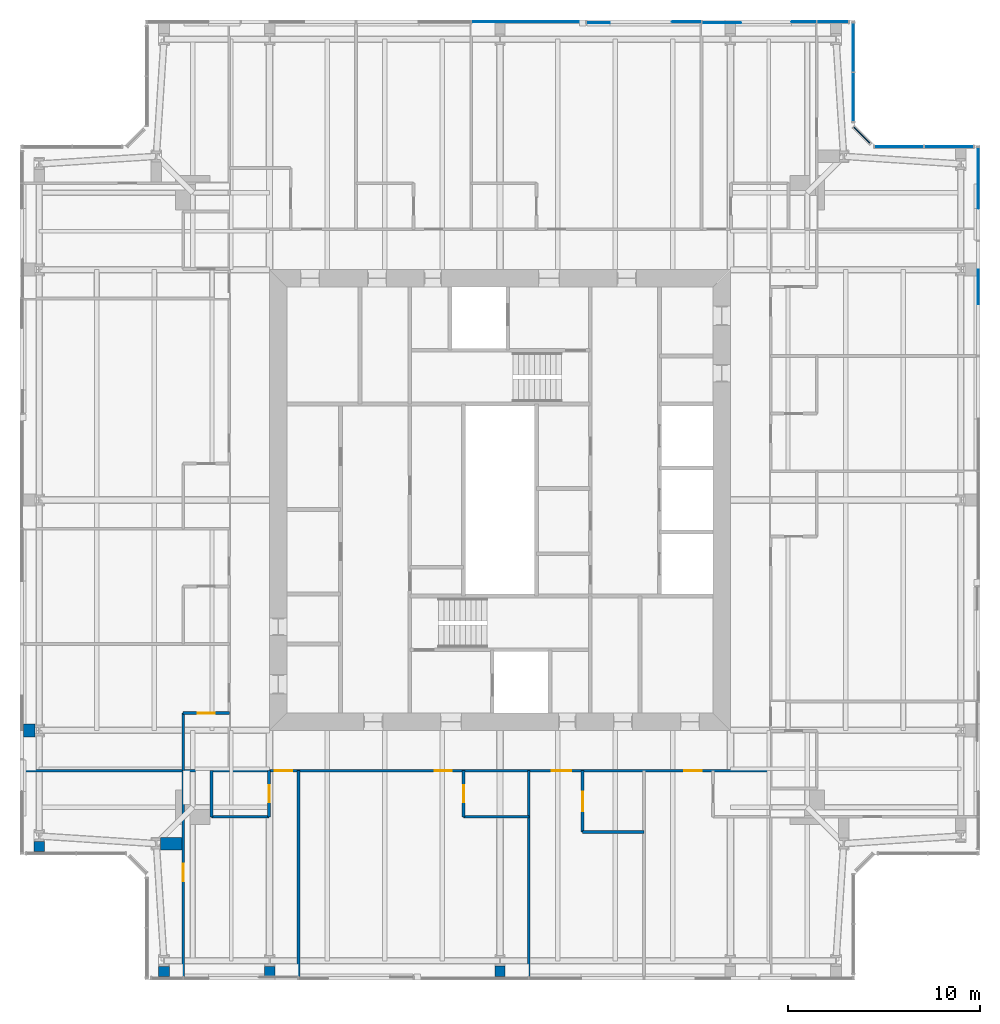
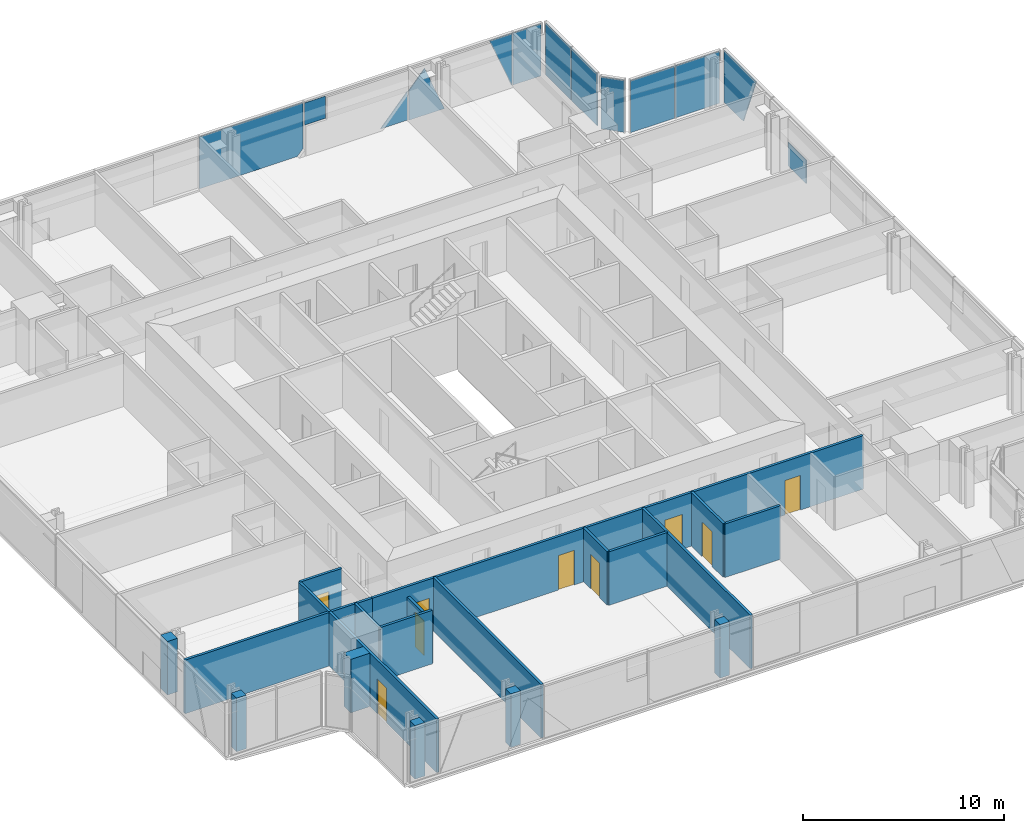
# One storey, part 11 of 18: 20 walls, 13 plates, 9 doors, 9 openings, 5 elements without a shape of their own.
"""IFC4 building model written with IfcOpenShell, lengths in metres."""

from ifc_helpers import new_model, si_unit, direction, frame, frame_2d, origin, origin_2d, place, context, subcontext, project, spatial, polyline, rectangle, outline, extrude, material, layer, layer_set, type_object, element, fill, aggregate, save


model = new_model("IFC4")

# Units and contexts
model_context = context("Model", 3, precision=1e-05, world=origin(), true_north=direction((0.0, 1.0)))
body_context = subcontext(model_context, "Body", "Model", "MODEL_VIEW")
ifc_project = project(units=[si_unit("LENGTHUNIT", "METRE"), si_unit("AREAUNIT", "SQUARE_METRE"), si_unit("VOLUMEUNIT", "CUBIC_METRE"), si_unit("PLANEANGLEUNIT", "RADIAN"), si_unit("MASSUNIT", "GRAM", prefix="KILO")], contexts=[model_context])

# Site, building, storey
site_placement = place(None, origin())
site = spatial("IfcSite", under=ifc_project, at=site_placement, CompositionType="ELEMENT")
building_placement = place(site_placement, origin())
building = spatial("IfcBuilding", under=site, at=building_placement, Name="Fenwick Lantern Interchange", CompositionType="ELEMENT")
storey_placement = place(building_placement, frame((0.0, 0.0, 262.800048828125)))
storey = spatial("IfcBuildingStorey", under=building, at=storey_placement, Name="L62", CompositionType="ELEMENT", Elevation=262.800048828125)

# Curtain wall, plates
ifc_material_1 = material(Name="Aluminium curtain wall frame", Category="aluminium")
curtain_wall_type = type_object("IfcCurtainWallType", Name="HOTEL CURTAIN WALL", PredefinedType="USERDEFINED", material=ifc_material_1)
curtain_wall_1_placement = place(storey_placement, origin())
curtain_wall_1 = element("IfcCurtainWall", 1, at=curtain_wall_1_placement, inside=storey, type_object=curtain_wall_type, Name="Hotel curtain wall 05", ObjectType="HOTEL CURTAIN WALL", PredefinedType="USERDEFINED")
ifc_material_2 = material(Name="Vision glass, acoustic laminated double glazed unit", Category="glass")
ifc_layer_1 = layer(ifc_material_2, 0.052001953125)
ifc_layer_set_1 = layer_set([ifc_layer_1], Name="HOTEL CURTAIN WALL PANEL 52")
plate_type = type_object("IfcPlateType", Name="HOTEL CURTAIN WALL PANEL 52", PredefinedType="CURTAIN_PANEL", material=ifc_layer_set_1)
plate_1_placement = place(storey_placement, frame((49.89990234375, 6.60009765625, 0.0), z_axis=(0.0, 0.0, 1.0), x_axis=(0.0, 1.0, 0.0)))
plate_1 = element("IfcPlate", 2, at=plate_1_placement, type_object=plate_type, Name="L62/CW/05/P05a", PredefinedType="CURTAIN_PANEL", context=body_context, shape_type="SweptSolid", body=[
    extrude(outline(polyline([(28.585205078125, 0.0), (30.39013671875, 0.0), (30.39013671875, 1.41650390625), (28.585205078125, 1.41650390625), (28.585205078125, 0.0)])), frame((0.0, 0.02587890625, 0.0), z_axis=(0.0, -1.0, 0.0), x_axis=(1.0, 0.0, 0.0)), (0.0, 0.0, 1.0), 0.052001953125),
])
plate_2_placement = place(storey_placement, frame((49.89990234375, 6.60009765625, 0.0), z_axis=(0.0, 0.0, 1.0), x_axis=(0.0, 1.0, 0.0)))
plate_2 = element("IfcPlate", 3, at=plate_2_placement, type_object=plate_type, Name="L62/CW/05/P06a", PredefinedType="CURTAIN_PANEL", context=body_context, shape_type="SweptSolid", body=[
    extrude(outline(polyline([(34.846435546875, 0.0), (36.739990234375, 0.0), (36.739990234375, 3.14990234375), (33.57275390625, 3.14990234375), (34.846435546875, 0.0)])), frame((0.0, 0.02587890625, 0.0), z_axis=(0.0, -1.0, 0.0), x_axis=(1.0, 0.0, 0.0)), (0.0, 0.0, 1.0), 0.052001953125),
])
aggregate(curtain_wall_1, [plate_1, plate_2])

curtain_wall_2_placement = place(storey_placement, origin())
curtain_wall_2 = element("IfcCurtainWall", 4, at=curtain_wall_2_placement, inside=storey, type_object=curtain_wall_type, Name="Hotel curtain wall 06", ObjectType="HOTEL CURTAIN WALL", PredefinedType="USERDEFINED")
plate_3_placement = place(storey_placement, frame((48.374755859375, 43.39990234375, 0.0), z_axis=(0.0, 0.0, 1.0), x_axis=(-1.0, 0.0, 0.0)))
plate_3 = element("IfcPlate", 5, at=plate_3_placement, type_object=plate_type, Name="L62/CW/06/P00", PredefinedType="CURTAIN_PANEL", context=body_context, shape_type="SweptSolid", body=[
    extrude(rectangle(XDim=2.53076171875, YDim=0.052001953125, at=origin_2d()), origin(), (0.0, 0.0, 1.0), 3.14990234375),
])
plate_4_placement = place(storey_placement, frame((45.783935546875, 43.39990234375, 0.0), z_axis=(0.0, 0.0, 1.0), x_axis=(-1.0, 0.0, 0.0)))
plate_4 = element("IfcPlate", 6, at=plate_4_placement, type_object=plate_type, Name="L62/CW/06/P01", PredefinedType="CURTAIN_PANEL", context=body_context, shape_type="SweptSolid", body=[
    extrude(rectangle(XDim=2.53076171875, YDim=0.052001953125, at=origin_2d()), origin(), (0.0, 0.0, 1.0), 3.14990234375),
])
aggregate(curtain_wall_2, [plate_3, plate_4])

# Curtain wall, plate
curtain_wall_3_placement = place(storey_placement, origin())
curtain_wall_3 = element("IfcCurtainWall", 7, at=curtain_wall_3_placement, inside=storey, type_object=curtain_wall_type, Name="Hotel curtain wall 07", ObjectType="HOTEL CURTAIN WALL", PredefinedType="USERDEFINED")
plate_5_placement = place(storey_placement, frame((43.858642578125, 44.0, 0.0), z_axis=(0.0, 0.0, 1.0), x_axis=(-0.707106781187, 0.707106781187, 0.0)))
plate_5 = element("IfcPlate", 8, at=plate_5_placement, type_object=plate_type, Name="L62/CW/07/P00", PredefinedType="CURTAIN_PANEL", context=body_context, shape_type="SweptSolid", body=[
    extrude(rectangle(XDim=1.177001953125, YDim=0.052001953125, at=origin_2d()), origin(), (0.0, 0.0, 1.0), 3.14990234375),
])
aggregate(curtain_wall_3, [plate_5])

# Curtain wall, plates
curtain_wall_4_placement = place(storey_placement, origin())
curtain_wall_4 = element("IfcCurtainWall", 9, at=curtain_wall_4_placement, inside=storey, type_object=curtain_wall_type, Name="Hotel curtain wall 08", ObjectType="HOTEL CURTAIN WALL", PredefinedType="USERDEFINED")
plate_6_placement = place(storey_placement, frame((43.39990234375, 45.98388671875, 0.0), z_axis=(0.0, 0.0, 1.0), x_axis=(0.0, 1.0, 0.0)))
plate_6 = element("IfcPlate", 10, at=plate_6_placement, type_object=plate_type, Name="L62/CW/08/P00", PredefinedType="CURTAIN_PANEL", context=body_context, shape_type="SweptSolid", body=[
    extrude(rectangle(XDim=2.53076171875, YDim=0.052001953125, at=origin_2d()), origin(), (0.0, 0.0, 1.0), 3.14990234375),
])
plate_7_placement = place(storey_placement, frame((43.39990234375, 48.57470703125, 0.0), z_axis=(0.0, 0.0, 1.0), x_axis=(0.0, 1.0, 0.0)))
plate_7 = element("IfcPlate", 11, at=plate_7_placement, type_object=plate_type, Name="L62/CW/08/P01", PredefinedType="CURTAIN_PANEL", context=body_context, shape_type="SweptSolid", body=[
    extrude(rectangle(XDim=2.53076171875, YDim=0.052001953125, at=origin_2d()), origin(), (0.0, 0.0, 1.0), 3.14990234375),
])
aggregate(curtain_wall_4, [plate_6, plate_7])

curtain_wall_5_placement = place(storey_placement, origin())
curtain_wall_5 = element("IfcCurtainWall", 12, at=curtain_wall_5_placement, inside=storey, type_object=curtain_wall_type, Name="Hotel curtain wall 09", ObjectType="HOTEL CURTAIN WALL", PredefinedType="USERDEFINED")
plate_8_placement = place(storey_placement, frame((42.3349609375, 49.89990234375, 0.0), z_axis=(0.0, 0.0, 1.0), x_axis=(-1.0, 0.0, 0.0)))
plate_8 = element("IfcPlate", 13, at=plate_8_placement, type_object=plate_type, Name="L62/CW/09/P00", PredefinedType="CURTAIN_PANEL", context=body_context, shape_type="SweptSolid", body=[
    extrude(rectangle(XDim=1.610107421875, YDim=0.052001953125, at=origin_2d()), origin(), (0.0, 0.0, 1.0), 3.14990234375),
])
plate_9_placement = place(storey_placement, frame((43.39990234375, 49.89990234375, 0.0), z_axis=(0.0, 0.0, 1.0), x_axis=(-1.0, 0.0, 0.0)))
plate_9 = element("IfcPlate", 14, at=plate_9_placement, type_object=plate_type, Name="L62/CW/09/P01a", PredefinedType="CURTAIN_PANEL", context=body_context, shape_type="SweptSolid", body=[
    extrude(outline(polyline([(1.929931640625, 0.0), (1.953369140625, 0.0), (3.227294921875, 3.14990234375), (1.929931640625, 3.14990234375), (1.929931640625, 0.0)])), frame((0.0, 0.02587890625, 0.0), z_axis=(0.0, -1.0, 0.0), x_axis=(1.0, 0.0, 0.0)), (0.0, 0.0, 1.0), 0.052001953125),
])
plate_10_placement = place(storey_placement, frame((43.39990234375, 49.89990234375, 0.0), z_axis=(0.0, 0.0, 1.0), x_axis=(-1.0, 0.0, 0.0)))
plate_10 = element("IfcPlate", 15, at=plate_10_placement, type_object=plate_type, Name="L62/CW/09/P01b", PredefinedType="CURTAIN_PANEL", context=body_context, shape_type="SweptSolid", body=[
    extrude(outline(polyline([(5.836669921875, 0.0), (7.8701171875, 0.0), (7.8701171875, 1.807373046875), (6.97705078125, 2.819580078125), (5.836669921875, 0.0)])), frame((0.0, 0.080078125, 0.0), z_axis=(0.0, -1.0, 0.0), x_axis=(1.0, 0.0, 0.0)), (0.0, 0.0, 1.0), 0.052001953125),
])
plate_11_placement = place(storey_placement, frame((43.39990234375, 49.89990234375, 0.0), z_axis=(0.0, 0.0, 1.0), x_axis=(-1.0, 0.0, 0.0)))
plate_11 = element("IfcPlate", 16, at=plate_11_placement, type_object=plate_type, Name="L62/CW/09/P02a", PredefinedType="CURTAIN_PANEL", context=body_context, shape_type="SweptSolid", body=[
    extrude(outline(polyline([(7.929931640625, 0.0), (9.46484375, 0.0), (7.929931640625, 1.7392578125), (7.929931640625, 0.0)])), frame((0.0, 0.02587890625, 0.0), z_axis=(0.0, -1.0, 0.0), x_axis=(1.0, 0.0, 0.0)), (0.0, 0.0, 1.0), 0.052001953125),
])
plate_12_placement = place(storey_placement, frame((43.39990234375, 49.89990234375, 1.80126953125), z_axis=(0.0, 0.0, 1.0), x_axis=(-1.0, 0.0, 0.0)))
plate_12 = element("IfcPlate", 17, at=plate_12_placement, type_object=plate_type, Name="L62/CW/09/P02b", PredefinedType="CURTAIN_PANEL", context=body_context, shape_type="SweptSolid", body=[
    extrude(outline(polyline([(12.676513671875, 0.0), (13.8701171875, 0.0), (13.8701171875, 1.3486328125), (12.676513671875, 1.3486328125), (12.676513671875, 0.0)])), frame((0.0, 0.080078125, 0.0), z_axis=(0.0, -1.0, 0.0), x_axis=(1.0, 0.0, 0.0)), (0.0, 0.0, 1.0), 0.052001953125),
])
plate_13_placement = place(storey_placement, frame((43.39990234375, 49.89990234375, 0.0), z_axis=(0.0, 0.0, 1.0), x_axis=(-1.0, 0.0, 0.0)))
plate_13 = element("IfcPlate", 18, at=plate_13_placement, type_object=plate_type, Name="L62/CW/09/P03a", PredefinedType="CURTAIN_PANEL", context=body_context, shape_type="SweptSolid", body=[
    extrude(outline(polyline([(14.265869140625, 0.0), (19.8701171875, 0.0), (19.8701171875, 3.14990234375), (13.929931640625, 3.14990234375), (13.929931640625, 0.380615234375), (14.265869140625, 0.0)])), frame((0.0, 0.02587890625, 0.0), z_axis=(0.0, -1.0, 0.0), x_axis=(1.0, 0.0, 0.0)), (0.0, 0.0, 1.0), 0.052001953125),
])
aggregate(curtain_wall_5, [plate_8, plate_9, plate_10, plate_11, plate_12, plate_13])

# Walls
ifc_material_3 = material(Name="Fire-rated gypsum board encasement on steel studs, 2 hour", Category="steel")
ifc_layer_2 = layer(ifc_material_3, 0.5419921875)
ifc_layer_set_2 = layer_set([ifc_layer_2], Name="COLUMN PIER 542")
wall_type_1 = type_object("IfcWallType", Name="COLUMN PIER 542", PredefinedType="PARTITIONING", material=ifc_layer_set_2)
wall_1_placement = place(storey_placement, frame((25.0, 0.18994140625, 0.0), z_axis=(0.0, 0.0, 1.0), x_axis=(0.0, 1.0, 0.0)))
element("IfcWall", 19, at=wall_1_placement, inside=storey, type_object=wall_type_1, Name="L62/W/PIER/CS3", PredefinedType="PARTITIONING", context=body_context, shape_type="SweptSolid", body=[
    extrude(rectangle(XDim=0.544677734375, YDim=0.5419921875, at=frame_2d((0.2724609375, 0.0))), origin(), (0.0, 0.0, 1.0), 3.25),
])
ifc_layer_3 = layer(ifc_material_3, 0.554931640625)
ifc_layer_set_3 = layer_set([ifc_layer_3], Name="COLUMN PIER 555")
wall_type_2 = type_object("IfcWallType", Name="COLUMN PIER 555", PredefinedType="PARTITIONING", material=ifc_layer_set_3)
for number, where, z_axis, x_axis, name in (
    (20, (7.5, 0.18994140625, 0.0), (0.0, 0.0, 1.0), (0.0, 1.0, 0.0), "L62/W/PIER/CS1"),
    (21, (1.0, 6.68994140625, 0.0), (0.0, 0.0, 1.0), (0.0, 1.0, 0.0), "L62/W/PIER/CW5"),
    (22, (13.0, 0.18994140625, 0.0), (0.0, 0.0, 1.0), (0.0, 1.0, 0.0), "L62/W/PIER/CS2"),
):
    element("IfcWall", number, at=place(storey_placement, frame(where, z_axis=z_axis, x_axis=x_axis)), inside=storey, type_object=wall_type_2, Name=name, PredefinedType="PARTITIONING", context=body_context, shape_type="SweptSolid", body=[
        extrude(rectangle(XDim=0.525634765625, YDim=0.554931640625, at=frame_2d((0.2626953125, 0.0))), origin(), (0.0, 0.0, 1.0), 3.25),
    ])
ifc_layer_4 = layer(ifc_material_3, 0.6689453125)
ifc_layer_set_4 = layer_set([ifc_layer_4], Name="COLUMN PIER 669")
wall_type_3 = type_object("IfcWallType", Name="COLUMN PIER 669", PredefinedType="PARTITIONING", material=ifc_layer_set_4)
wall_2_placement = place(storey_placement, frame((8.425048828125, 7.10009765625, 0.0), z_axis=(0.0, 0.0, 1.0), x_axis=(-1.0, 0.0, 0.0)))
element("IfcWall", 23, at=wall_2_placement, inside=storey, type_object=wall_type_3, Name="L62/W/PIER/CWR", PredefinedType="PARTITIONING", context=body_context, shape_type="SweptSolid", body=[
    extrude(rectangle(XDim=1.09765625, YDim=0.6689453125, at=frame_2d((0.548828125, 0.0))), origin(), (0.0, 0.0, 1.0), 3.25),
])
wall_3_placement = place(storey_placement, frame((0.18994140625, 13.0, 0.0), z_axis=(0.0, 0.0, 1.0), x_axis=(1.0, 0.0, 0.0)))
element("IfcWall", 24, at=wall_3_placement, inside=storey, type_object=wall_type_3, Name="L62/W/PIER/CW4", PredefinedType="PARTITIONING", context=body_context, shape_type="SweptSolid", body=[
    extrude(rectangle(XDim=0.582763671875, YDim=0.6689453125, at=frame_2d((0.29150390625, 0.0))), origin(), (0.0, 0.0, 1.0), 3.25),
])

# Wall, openings, doors
ifc_material_4 = material(Name="Gypsum board on steel studs, 1 hour", Category="steel")
ifc_layer_5 = layer(ifc_material_4, 0.14990234375)
ifc_layer_set_5 = layer_set([ifc_layer_5], Name="CORRIDOR WALL 150")
wall_type_4 = type_object("IfcWallType", Name="CORRIDOR WALL 150", PredefinedType="PARTITIONING", material=ifc_layer_set_5)
wall_4_placement = place(storey_placement, frame((10.89990234375, 10.89990234375, 0.0), z_axis=(0.0, 0.0, 1.0), x_axis=(1.0, 0.0, 0.0)))
wall_4 = element("IfcWall", 25, at=wall_4_placement, inside=storey, type_object=wall_type_4, Name="L62/W/HOTEL/S/CW", PredefinedType="PARTITIONING", context=body_context, shape_type="SweptSolid", body=[
    extrude(rectangle(XDim=28.2001953125, YDim=0.14990234375, at=frame_2d((14.10009765625, 0.0))), origin(), (0.0, 0.0, 1.0), 3.25),
])
opening_1_placement = place(wall_4_placement, frame((2.375, 0.0, 0.0)))
opening_1 = element("IfcOpeningElement", 26, at=opening_1_placement, cuts=wall_4, Name="Opening L62-D026", PredefinedType="OPENING", context=body_context, shape_type="SweptSolid", body=[
    extrude(rectangle(XDim=0.89990234375, YDim=2.10009765625, at=frame_2d((0.449951171875, 1.050048828125))), frame((0.0, 0.0849609375, 0.0), z_axis=(0.0, -1.0, 0.0), x_axis=(1.0, 0.0, 0.0)), (0.0, 0.0, 1.0), 0.169921875),
])
opening_2_placement = place(wall_4_placement, frame((10.699951171875, 0.0, 0.0)))
opening_2 = element("IfcOpeningElement", 27, at=opening_2_placement, cuts=wall_4, Name="Opening L62-D028", PredefinedType="OPENING", context=body_context, shape_type="SweptSolid", body=[
    extrude(rectangle(XDim=0.89990234375, YDim=2.10009765625, at=frame_2d((0.449951171875, 1.050048828125))), frame((0.0, 0.0849609375, 0.0), z_axis=(0.0, -1.0, 0.0), x_axis=(1.0, 0.0, 0.0)), (0.0, 0.0, 1.0), 0.169921875),
])
opening_3_placement = place(wall_4_placement, frame((16.800048828125, 0.0, 0.0)))
opening_3 = element("IfcOpeningElement", 28, at=opening_3_placement, cuts=wall_4, Name="Opening L62-D030", PredefinedType="OPENING", context=body_context, shape_type="SweptSolid", body=[
    extrude(rectangle(XDim=1.0, YDim=2.10009765625, at=frame_2d((0.5, 1.050048828125))), frame((0.0, 0.0849609375, 0.0), z_axis=(0.0, -1.0, 0.0), x_axis=(1.0, 0.0, 0.0)), (0.0, 0.0, 1.0), 0.169921875),
])
opening_4_placement = place(wall_4_placement, frame((23.699951171875, 0.0, 0.0)))
opening_4 = element("IfcOpeningElement", 29, at=opening_4_placement, cuts=wall_4, Name="Opening L62-D032", PredefinedType="OPENING", context=body_context, shape_type="SweptSolid", body=[
    extrude(rectangle(XDim=0.89990234375, YDim=2.10009765625, at=frame_2d((0.449951171875, 1.050048828125))), frame((0.0, 0.0849609375, 0.0), z_axis=(0.0, -1.0, 0.0), x_axis=(1.0, 0.0, 0.0)), (0.0, 0.0, 1.0), 0.169921875),
])
ifc_material_5 = material(Name="Steel door and frame", Category="steel")
door_type_1 = type_object("IfcDoorType", Name="GUEST ROOM DOOR 1000 X 2100", OperationType="SINGLE_SWING_LEFT", PredefinedType="DOOR", material=ifc_material_5)
door_1_placement = place(opening_3_placement, frame((1.0, 0.0, 0.0), z_axis=(0.0, 0.0, 1.0), x_axis=(-1.0, 0.0, 0.0)))
door_1 = element("IfcDoor", 30, at=door_1_placement, inside=storey, type_object=door_type_1, Name="Guest room door", OperationType="SINGLE_SWING_LEFT", OverallHeight=2.10009765625, OverallWidth=1.0, PredefinedType="DOOR", context=body_context, shape_type="SweptSolid", body=[
    extrude(rectangle(XDim=1.0, YDim=2.10009765625, at=frame_2d((0.5, 1.050048828125))), frame((0.0, 0.02490234375, 0.0), z_axis=(0.0, -1.0, 0.0), x_axis=(1.0, 0.0, 0.0)), (0.0, 0.0, 1.0), 0.050048828125),
])
fill(opening_3, door_1)
door_type_2 = type_object("IfcDoorType", Name="GUEST ROOM DOOR 900 X 2100", OperationType="SINGLE_SWING_LEFT", PredefinedType="DOOR", material=ifc_material_5)
door_2_placement = place(opening_1_placement, frame((0.89990234375, 0.0, 0.0), z_axis=(0.0, 0.0, 1.0), x_axis=(-1.0, 0.0, 0.0)))
door_2 = element("IfcDoor", 31, at=door_2_placement, inside=storey, type_object=door_type_2, Name="Guest room door", OperationType="SINGLE_SWING_RIGHT", OverallHeight=2.10009765625, OverallWidth=0.89990234375, PredefinedType="DOOR", context=body_context, shape_type="SweptSolid", body=[
    extrude(rectangle(XDim=0.89990234375, YDim=2.10009765625, at=frame_2d((0.449951171875, 1.050048828125))), frame((0.0, 0.02490234375, 0.0), z_axis=(0.0, -1.0, 0.0), x_axis=(1.0, 0.0, 0.0)), (0.0, 0.0, 1.0), 0.050048828125),
])
fill(opening_1, door_2)
door_3_placement = place(opening_2_placement, frame((0.89990234375, 0.0, 0.0), z_axis=(0.0, 0.0, 1.0), x_axis=(-1.0, 0.0, 0.0)))
door_3 = element("IfcDoor", 32, at=door_3_placement, inside=storey, type_object=door_type_2, Name="Guest room door", OperationType="SINGLE_SWING_LEFT", OverallHeight=2.10009765625, OverallWidth=0.89990234375, PredefinedType="DOOR", context=body_context, shape_type="SweptSolid", body=[
    extrude(rectangle(XDim=0.89990234375, YDim=2.10009765625, at=frame_2d((0.449951171875, 1.050048828125))), frame((0.0, 0.02490234375, 0.0), z_axis=(0.0, -1.0, 0.0), x_axis=(1.0, 0.0, 0.0)), (0.0, 0.0, 1.0), 0.050048828125),
])
fill(opening_2, door_3)
door_4_placement = place(opening_4_placement, frame((0.89990234375, 0.0, 0.0), z_axis=(0.0, 0.0, 1.0), x_axis=(-1.0, 0.0, 0.0)))
door_4 = element("IfcDoor", 33, at=door_4_placement, inside=storey, type_object=door_type_2, Name="Guest room door", OperationType="SINGLE_SWING_LEFT", OverallHeight=2.10009765625, OverallWidth=0.89990234375, PredefinedType="DOOR", context=body_context, shape_type="SweptSolid", body=[
    extrude(rectangle(XDim=0.89990234375, YDim=2.10009765625, at=frame_2d((0.449951171875, 1.050048828125))), frame((0.0, 0.02490234375, 0.0), z_axis=(0.0, -1.0, 0.0), x_axis=(1.0, 0.0, 0.0)), (0.0, 0.0, 1.0), 0.050048828125),
])
fill(opening_4, door_4)

# Wall
ifc_material_6 = material(Name="Gypsum board on steel studs, moisture resistant", Category="steel")
ifc_layer_6 = layer(ifc_material_6, 0.14990234375)
ifc_layer_set_6 = layer_set([ifc_layer_6], Name="EN-SUITE WALL 150")
wall_type_5 = type_object("IfcWallType", Name="EN-SUITE WALL 150", PredefinedType="PARTITIONING", material=ifc_layer_set_6)
wall_5_placement = place(storey_placement, frame((9.97509765625, 8.5, 0.0), z_axis=(0.0, 0.0, 1.0), x_axis=(1.0, 0.0, 0.0)))
element("IfcWall", 34, at=wall_5_placement, inside=storey, type_object=wall_type_5, Name="L62/W/HOTEL/S/U1BW", PredefinedType="PARTITIONING", context=body_context, shape_type="SweptSolid", body=[
    extrude(rectangle(XDim=3.0, YDim=0.14990234375, at=frame_2d((1.5, 0.0))), origin(), (0.0, 0.0, 1.0), 3.25),
])

# Wall, opening, door
wall_6_placement = place(storey_placement, frame((12.97509765625, 8.5, 0.0), z_axis=(0.0, 0.0, 1.0), x_axis=(0.0, 1.0, 0.0)))
wall_6 = element("IfcWall", 35, at=wall_6_placement, inside=storey, type_object=wall_type_5, Name="L62/W/HOTEL/S/U1BX", PredefinedType="PARTITIONING", context=body_context, shape_type="SweptSolid", body=[
    extrude(rectangle(XDim=2.39990234375, YDim=0.14990234375, at=frame_2d((1.199951171875, 0.0))), origin(), (0.0, 0.0, 1.0), 2.627685546875),
])
opening_5_placement = place(wall_6_placement, frame((0.75, 0.0, 0.0)))
opening_5 = element("IfcOpeningElement", 36, at=opening_5_placement, cuts=wall_6, Name="Opening L62-D024", PredefinedType="OPENING", context=body_context, shape_type="SweptSolid", body=[
    extrude(rectangle(XDim=0.89990234375, YDim=2.10009765625, at=frame_2d((0.449951171875, 1.050048828125))), frame((0.0, 0.0849609375, 0.0), z_axis=(0.0, -1.0, 0.0), x_axis=(1.0, 0.0, 0.0)), (0.0, 0.0, 1.0), 0.169921875),
])
ifc_material_7 = material(Name="Hardwood door and steel frame", Category="steel")
door_type_3 = type_object("IfcDoorType", Name="EN-SUITE DOOR 900 X 2100", OperationType="SINGLE_SWING_LEFT", PredefinedType="DOOR", material=ifc_material_7)
door_5_placement = place(opening_5_placement, origin())
door_5 = element("IfcDoor", 37, at=door_5_placement, inside=storey, type_object=door_type_3, Name="En-suite door", OperationType="SINGLE_SWING_LEFT", OverallHeight=2.10009765625, OverallWidth=0.89990234375, PredefinedType="DOOR", context=body_context, shape_type="SweptSolid", body=[
    extrude(rectangle(XDim=0.89990234375, YDim=2.10009765625, at=frame_2d((0.449951171875, 1.050048828125))), frame((0.0, 0.02490234375, 0.0), z_axis=(0.0, -1.0, 0.0), x_axis=(1.0, 0.0, 0.0)), (0.0, 0.0, 1.0), 0.050048828125),
])
fill(opening_5, door_5)

# Walls
wall_7_placement = place(storey_placement, frame((9.97509765625, 8.5, 0.0), z_axis=(0.0, 0.0, 1.0), x_axis=(0.0, 1.0, 0.0)))
element("IfcWall", 38, at=wall_7_placement, inside=storey, type_object=wall_type_5, Name="L62/W/HOTEL/S/U1BV", PredefinedType="PARTITIONING", context=body_context, shape_type="SweptSolid", body=[
    extrude(rectangle(XDim=2.39990234375, YDim=0.14990234375, at=frame_2d((1.199951171875, 0.0))), origin(), (0.0, 0.0, 1.0), 3.25),
])
wall_8_placement = place(storey_placement, frame((23.10009765625, 8.5, 0.0), z_axis=(0.0, 0.0, 1.0), x_axis=(1.0, 0.0, 0.0)))
element("IfcWall", 39, at=wall_8_placement, inside=storey, type_object=wall_type_5, Name="L62/W/HOTEL/S/U2BW", PredefinedType="PARTITIONING", context=body_context, shape_type="SweptSolid", body=[
    extrude(rectangle(XDim=3.39990234375, YDim=0.14990234375, at=frame_2d((1.699951171875, 0.0))), origin(), (0.0, 0.0, 1.0), 3.25),
])

# Wall, opening, door
wall_9_placement = place(storey_placement, frame((23.10009765625, 8.5, 0.0), z_axis=(0.0, 0.0, 1.0), x_axis=(0.0, 1.0, 0.0)))
wall_9 = element("IfcWall", 40, at=wall_9_placement, inside=storey, type_object=wall_type_5, Name="L62/W/HOTEL/S/U2BX", PredefinedType="PARTITIONING", context=body_context, shape_type="SweptSolid", body=[
    extrude(rectangle(XDim=2.39990234375, YDim=0.14990234375, at=frame_2d((1.199951171875, 0.0))), origin(), (0.0, 0.0, 1.0), 3.25),
])
opening_6_placement = place(wall_9_placement, frame((0.75, 0.0, 0.0)))
opening_6 = element("IfcOpeningElement", 41, at=opening_6_placement, cuts=wall_9, Name="Opening L62-D027", PredefinedType="OPENING", context=body_context, shape_type="SweptSolid", body=[
    extrude(rectangle(XDim=0.89990234375, YDim=2.10009765625, at=frame_2d((0.449951171875, 1.050048828125))), frame((0.0, 0.0849609375, 0.0), z_axis=(0.0, -1.0, 0.0), x_axis=(1.0, 0.0, 0.0)), (0.0, 0.0, 1.0), 0.169921875),
])
door_6_placement = place(opening_6_placement, frame((0.89990234375, 0.0, 0.0), z_axis=(0.0, 0.0, 1.0), x_axis=(-1.0, 0.0, 0.0)))
door_6 = element("IfcDoor", 42, at=door_6_placement, inside=storey, type_object=door_type_3, Name="En-suite door", OperationType="SINGLE_SWING_RIGHT", OverallHeight=2.10009765625, OverallWidth=0.89990234375, PredefinedType="DOOR", context=body_context, shape_type="SweptSolid", body=[
    extrude(rectangle(XDim=0.89990234375, YDim=2.10009765625, at=frame_2d((0.449951171875, 1.050048828125))), frame((0.0, 0.02490234375, 0.0), z_axis=(0.0, -1.0, 0.0), x_axis=(1.0, 0.0, 0.0)), (0.0, 0.0, 1.0), 0.050048828125),
])
fill(opening_6, door_6)

# Wall
wall_10_placement = place(storey_placement, frame((29.300048828125, 7.699951171875, 0.0), z_axis=(0.0, 0.0, 1.0), x_axis=(1.0, 0.0, 0.0)))
element("IfcWall", 43, at=wall_10_placement, inside=storey, type_object=wall_type_5, Name="L62/W/HOTEL/S/U3BW", PredefinedType="PARTITIONING", context=body_context, shape_type="SweptSolid", body=[
    extrude(rectangle(XDim=3.199951171875, YDim=0.14990234375, at=frame_2d((1.60009765625, 0.0))), origin(), (0.0, 0.0, 1.0), 3.25),
])

# Wall, opening, door
wall_11_placement = place(storey_placement, frame((29.300048828125, 7.699951171875, 0.0), z_axis=(0.0, 0.0, 1.0), x_axis=(0.0, 1.0, 0.0)))
wall_11 = element("IfcWall", 44, at=wall_11_placement, inside=storey, type_object=wall_type_5, Name="L62/W/HOTEL/S/U3BX", PredefinedType="PARTITIONING", context=body_context, shape_type="SweptSolid", body=[
    extrude(rectangle(XDim=3.199951171875, YDim=0.14990234375, at=frame_2d((1.60009765625, 0.0))), origin(), (0.0, 0.0, 1.0), 3.25),
])
opening_7_placement = place(wall_11_placement, frame((1.10009765625, 0.0, 0.0)))
opening_7 = element("IfcOpeningElement", 45, at=opening_7_placement, cuts=wall_11, Name="Opening L62-D029", PredefinedType="OPENING", context=body_context, shape_type="SweptSolid", body=[
    extrude(rectangle(XDim=1.0, YDim=2.10009765625, at=frame_2d((0.5, 1.050048828125))), frame((0.0, 0.0849609375, 0.0), z_axis=(0.0, -1.0, 0.0), x_axis=(1.0, 0.0, 0.0)), (0.0, 0.0, 1.0), 0.169921875),
])
door_type_4 = type_object("IfcDoorType", Name="EN-SUITE DOOR 1000 X 2100", OperationType="SINGLE_SWING_LEFT", PredefinedType="DOOR", material=ifc_material_7)
door_7_placement = place(opening_7_placement, frame((1.0, 0.0, 0.0), z_axis=(0.0, 0.0, 1.0), x_axis=(-1.0, 0.0, 0.0)))
door_7 = element("IfcDoor", 46, at=door_7_placement, inside=storey, type_object=door_type_4, Name="En-suite door", OperationType="SINGLE_SWING_RIGHT", OverallHeight=2.10009765625, OverallWidth=1.0, PredefinedType="DOOR", context=body_context, shape_type="SweptSolid", body=[
    extrude(rectangle(XDim=1.0, YDim=2.10009765625, at=frame_2d((0.5, 1.050048828125))), frame((0.0, 0.02490234375, 0.0), z_axis=(0.0, -1.0, 0.0), x_axis=(1.0, 0.0, 0.0)), (0.0, 0.0, 1.0), 0.050048828125),
])
fill(opening_7, door_7)

# Wall
wall_12_placement = place(storey_placement, frame((8.5, 13.89990234375, 0.0), z_axis=(0.0, 0.0, 1.0), x_axis=(0.0, -1.0, 0.0)))
element("IfcWall", 47, at=wall_12_placement, inside=storey, type_object=wall_type_5, Name="L62/W/HOTEL/W/U4BW", PredefinedType="PARTITIONING", context=body_context, shape_type="SweptSolid", body=[
    extrude(rectangle(XDim=3.0, YDim=0.14990234375, at=frame_2d((1.5, 0.0))), origin(), (0.0, 0.0, 1.0), 3.25),
])

# Wall, opening, door
wall_13_placement = place(storey_placement, frame((8.5, 13.89990234375, 0.0), z_axis=(0.0, 0.0, 1.0), x_axis=(1.0, 0.0, 0.0)))
wall_13 = element("IfcWall", 48, at=wall_13_placement, inside=storey, type_object=wall_type_5, Name="L62/W/HOTEL/W/U4BX", PredefinedType="PARTITIONING", context=body_context, shape_type="SweptSolid", body=[
    extrude(rectangle(XDim=2.39990234375, YDim=0.14990234375, at=frame_2d((1.199951171875, 0.0))), origin(), (0.0, 0.0, 1.0), 3.25),
])
opening_8_placement = place(wall_13_placement, frame((0.75, 0.0, 0.0)))
opening_8 = element("IfcOpeningElement", 49, at=opening_8_placement, cuts=wall_13, Name="Opening L62-D058", PredefinedType="OPENING", context=body_context, shape_type="SweptSolid", body=[
    extrude(rectangle(XDim=0.89990234375, YDim=2.10009765625, at=frame_2d((0.449951171875, 1.050048828125))), frame((0.0, 0.0849609375, 0.0), z_axis=(0.0, -1.0, 0.0), x_axis=(1.0, 0.0, 0.0)), (0.0, 0.0, 1.0), 0.169921875),
])
door_8_placement = place(opening_8_placement, frame((0.89990234375, 0.0, 0.0), z_axis=(0.0, 0.0, 1.0), x_axis=(-1.0, 0.0, 0.0)))
door_8 = element("IfcDoor", 50, at=door_8_placement, inside=storey, type_object=door_type_3, Name="En-suite door", OperationType="SINGLE_SWING_RIGHT", OverallHeight=2.10009765625, OverallWidth=0.89990234375, PredefinedType="DOOR", context=body_context, shape_type="SweptSolid", body=[
    extrude(rectangle(XDim=0.89990234375, YDim=2.10009765625, at=frame_2d((0.449951171875, 1.050048828125))), frame((0.0, 0.02490234375, 0.0), z_axis=(0.0, -1.0, 0.0), x_axis=(1.0, 0.0, 0.0)), (0.0, 0.0, 1.0), 0.050048828125),
])
fill(opening_8, door_8)

# Walls
ifc_material_8 = material(Name="Gypsum board on steel studs, 1 hour acoustic", Category="steel")
ifc_layer_7 = layer(ifc_material_8, 0.14990234375)
ifc_layer_set_7 = layer_set([ifc_layer_7], Name="PARTY WALL 150")
wall_type_6 = type_object("IfcWallType", Name="PARTY WALL 150", PredefinedType="PARTITIONING", material=ifc_layer_set_7)
for number, where, z_axis, x_axis, name in (
    (51, (0.14990234375, 10.89990234375, 0.0), (0.0, 0.0, 1.0), (1.0, 0.0, 0.0), "L62/W/HOTEL/S/SW3"),
    (52, (14.5, 0.14990234375, 0.0), (0.0, 0.0, 1.0), (0.0, 1.0, 0.0), "L62/W/HOTEL/S/U2PW"),
    (53, (26.5, 0.14990234375, 0.0), (0.0, 0.0, 1.0), (0.0, 1.0, 0.0), "L62/W/HOTEL/S/U3PW"),
):
    element("IfcWall", number, at=place(storey_placement, frame(where, z_axis=z_axis, x_axis=x_axis)), inside=storey, type_object=wall_type_6, Name=name, PredefinedType="PARTITIONING", context=body_context, shape_type="SweptSolid", body=[
        extrude(rectangle(XDim=10.75, YDim=0.14990234375, at=frame_2d((5.375, 0.0))), origin(), (0.0, 0.0, 1.0), 3.25),
    ])

# Wall, opening, door
ifc_material_9 = material(Name="Gypsum board on steel studs, acoustic", Category="steel")
ifc_layer_8 = layer(ifc_material_9, 0.14990234375)
ifc_layer_set_8 = layer_set([ifc_layer_8], Name="SUITE PARTITION 150")
wall_type_7 = type_object("IfcWallType", Name="SUITE PARTITION 150", PredefinedType="PARTITIONING", material=ifc_layer_set_8)
wall_14_placement = place(storey_placement, frame((8.5, 0.14990234375, 0.0), z_axis=(0.0, 0.0, 1.0), x_axis=(0.0, 1.0, 0.0)))
wall_14 = element("IfcWall", 54, at=wall_14_placement, inside=storey, type_object=wall_type_7, Name="L62/W/HOTEL/S/U1P", PredefinedType="PARTITIONING", context=body_context, shape_type="SweptSolid", body=[
    extrude(rectangle(XDim=10.75, YDim=0.14990234375, at=frame_2d((5.375, 0.0))), origin(), (0.0, 0.0, 1.0), 3.25),
])
opening_9_placement = place(wall_14_placement, frame((5.0, 0.0, 0.0)))
opening_9 = element("IfcOpeningElement", 55, at=opening_9_placement, cuts=wall_14, Name="Opening L62-D025", PredefinedType="OPENING", context=body_context, shape_type="SweptSolid", body=[
    extrude(rectangle(XDim=0.89990234375, YDim=2.10009765625, at=frame_2d((0.449951171875, 1.050048828125))), frame((0.0, 0.0849609375, 0.0), z_axis=(0.0, -1.0, 0.0), x_axis=(1.0, 0.0, 0.0)), (0.0, 0.0, 1.0), 0.169921875),
])
door_type_5 = type_object("IfcDoorType", Name="SUITE INTERNAL DOOR 900 X 2100", OperationType="SINGLE_SWING_LEFT", PredefinedType="DOOR", material=ifc_material_7)
door_9_placement = place(opening_9_placement, origin())
door_9 = element("IfcDoor", 56, at=door_9_placement, inside=storey, type_object=door_type_5, Name="Suite internal door", OperationType="SINGLE_SWING_RIGHT", OverallHeight=2.10009765625, OverallWidth=0.89990234375, PredefinedType="DOOR", context=body_context, shape_type="SweptSolid", body=[
    extrude(rectangle(XDim=0.89990234375, YDim=2.10009765625, at=frame_2d((0.449951171875, 1.050048828125))), frame((0.0, 0.02490234375, 0.0), z_axis=(0.0, -1.0, 0.0), x_axis=(1.0, 0.0, 0.0)), (0.0, 0.0, 1.0), 0.050048828125),
])
fill(opening_9, door_9)

save(model, "model.ifc")
